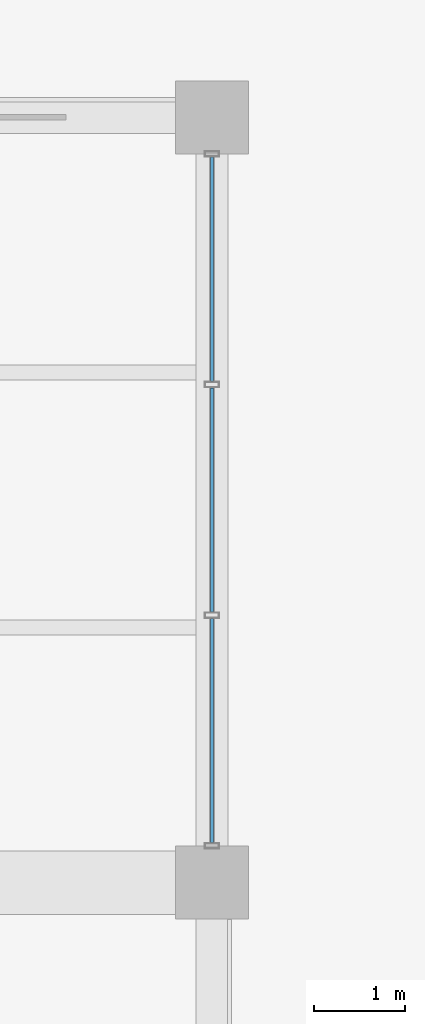
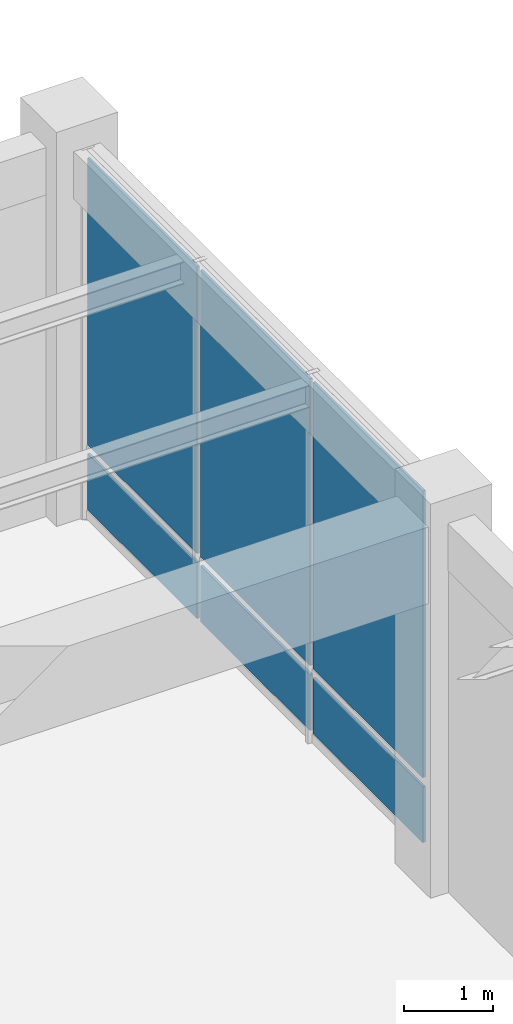
# One storey, part 118 of 157: 6 plates, 1 element without a shape of its own.
"""IFC4 building model written with IfcOpenShell, lengths in metres."""

from ifc_helpers import new_model, si_unit, direction, frame, origin, origin_2d, place, context, subcontext, project, spatial, rectangle, extrude, material, layer, layer_set, type_object, element, aggregate, save


model = new_model("IFC4")

# Units and contexts
model_context = context("Model", 3, precision=1e-05, world=origin(), true_north=direction((0.0, 1.0)))
body_context = subcontext(model_context, "Body", "Model", "MODEL_VIEW")
ifc_project = project(units=[si_unit("LENGTHUNIT", "METRE"), si_unit("AREAUNIT", "SQUARE_METRE"), si_unit("VOLUMEUNIT", "CUBIC_METRE"), si_unit("PLANEANGLEUNIT", "RADIAN"), si_unit("MASSUNIT", "GRAM", prefix="KILO"), si_unit("THERMODYNAMICTEMPERATUREUNIT", "KELVIN"), si_unit("POWERUNIT", "WATT")], contexts=[model_context])

# Site, building, storey
site_placement = place(None, origin())
site = spatial("IfcSite", under=ifc_project, at=site_placement, CompositionType="ELEMENT")
building_placement = place(site_placement, origin())
building = spatial("IfcBuilding", under=site, at=building_placement, Name="Darbajah Civic Hall", CompositionType="ELEMENT")
storey_placement = place(building_placement, origin())
storey = spatial("IfcBuildingStorey", under=building, at=storey_placement, Name="L00", CompositionType="ELEMENT", Elevation=0.0)

# Curtain wall, plates
ifc_material_1 = material(Name="Anodised Bronze Aluminium and Low-E Glazing", Category="aluminium")
curtain_wall_type = type_object("IfcCurtainWallType", Name="Unitised Curtain Wall CW-95 7600x5050", PredefinedType="USERDEFINED", material=ifc_material_1)
curtain_wall_placement = place(storey_placement, origin())
curtain_wall = element("IfcCurtainWall", 1, at=curtain_wall_placement, inside=storey, type_object=curtain_wall_type, Name="L00 unitised curtain wall CW-V4-L00-S1-B5", ObjectType="UNITISED CURTAIN WALL", PredefinedType="USERDEFINED")
ifc_material_2 = material(Name="Low-E Solar Control Double Glazing", Category="glass")
ifc_layer = layer(ifc_material_2, 0.031982421875, Name="Low-E Solar Control Double Glazing")
ifc_layer_set = layer_set([ifc_layer], Name="Low-E Solar Control Double Glazing")
plate_type = type_object("IfcPlateType", Name="Solar Double Glazing 32mm", PredefinedType="CURTAIN_PANEL", material=ifc_layer_set)
plate_1_placement = place(storey_placement, frame((178.199951171875, 100.068115234375, 0.119873046875), z_axis=(0.0, 0.0, 1.0), x_axis=(0.0, 1.0, 0.0)))
plate_1 = element("IfcPlate", 2, at=plate_1_placement, type_object=plate_type, Name="CW-V4-L00-S1-B5 glazed panel 1.1", PredefinedType="CURTAIN_PANEL", context=body_context, shape_type="SweptSolid", body=[
    extrude(rectangle(XDim=2.4619140625, YDim=0.031982421875, at=origin_2d()), origin(), (0.0, 0.0, 1.0), 0.77001953125),
])
plate_2_placement = place(storey_placement, frame((178.199951171875, 100.068115234375, 1.01025390625), z_axis=(0.0, 0.0, 1.0), x_axis=(0.0, 1.0, 0.0)))
plate_2 = element("IfcPlate", 3, at=plate_2_placement, type_object=plate_type, Name="CW-V4-L00-S1-B5 glazed panel 1.2", PredefinedType="CURTAIN_PANEL", context=body_context, shape_type="SweptSolid", body=[
    extrude(rectangle(XDim=2.4619140625, YDim=0.031982421875, at=origin_2d()), origin(), (0.0, 0.0, 1.0), 3.929931640625),
])
plate_3_placement = place(storey_placement, frame((178.199951171875, 102.60009765625, 0.119873046875), z_axis=(0.0, 0.0, 1.0), x_axis=(0.0, 1.0, 0.0)))
plate_3 = element("IfcPlate", 4, at=plate_3_placement, type_object=plate_type, Name="CW-V4-L00-S1-B5 glazed panel 2.1", PredefinedType="CURTAIN_PANEL", context=body_context, shape_type="SweptSolid", body=[
    extrude(rectangle(XDim=2.4619140625, YDim=0.031982421875, at=origin_2d()), origin(), (0.0, 0.0, 1.0), 0.77001953125),
])
plate_4_placement = place(storey_placement, frame((178.199951171875, 102.60009765625, 1.01025390625), z_axis=(0.0, 0.0, 1.0), x_axis=(0.0, 1.0, 0.0)))
plate_4 = element("IfcPlate", 5, at=plate_4_placement, type_object=plate_type, Name="CW-V4-L00-S1-B5 glazed panel 2.2", PredefinedType="CURTAIN_PANEL", context=body_context, shape_type="SweptSolid", body=[
    extrude(rectangle(XDim=2.4619140625, YDim=0.031982421875, at=origin_2d()), origin(), (0.0, 0.0, 1.0), 3.929931640625),
])
plate_5_placement = place(storey_placement, frame((178.199951171875, 105.132080078125, 0.119873046875), z_axis=(0.0, 0.0, 1.0), x_axis=(0.0, 1.0, 0.0)))
plate_5 = element("IfcPlate", 6, at=plate_5_placement, type_object=plate_type, Name="CW-V4-L00-S1-B5 glazed panel 3.1", PredefinedType="CURTAIN_PANEL", context=body_context, shape_type="SweptSolid", body=[
    extrude(rectangle(XDim=2.4619140625, YDim=0.031982421875, at=origin_2d()), origin(), (0.0, 0.0, 1.0), 0.77001953125),
])
plate_6_placement = place(storey_placement, frame((178.199951171875, 105.132080078125, 1.01025390625), z_axis=(0.0, 0.0, 1.0), x_axis=(0.0, 1.0, 0.0)))
plate_6 = element("IfcPlate", 7, at=plate_6_placement, type_object=plate_type, Name="CW-V4-L00-S1-B5 glazed panel 3.2", PredefinedType="CURTAIN_PANEL", context=body_context, shape_type="SweptSolid", body=[
    extrude(rectangle(XDim=2.4619140625, YDim=0.031982421875, at=origin_2d()), origin(), (0.0, 0.0, 1.0), 3.929931640625),
])
aggregate(curtain_wall, [plate_1, plate_2, plate_3, plate_4, plate_5, plate_6])

save(model, "model.ifc")
